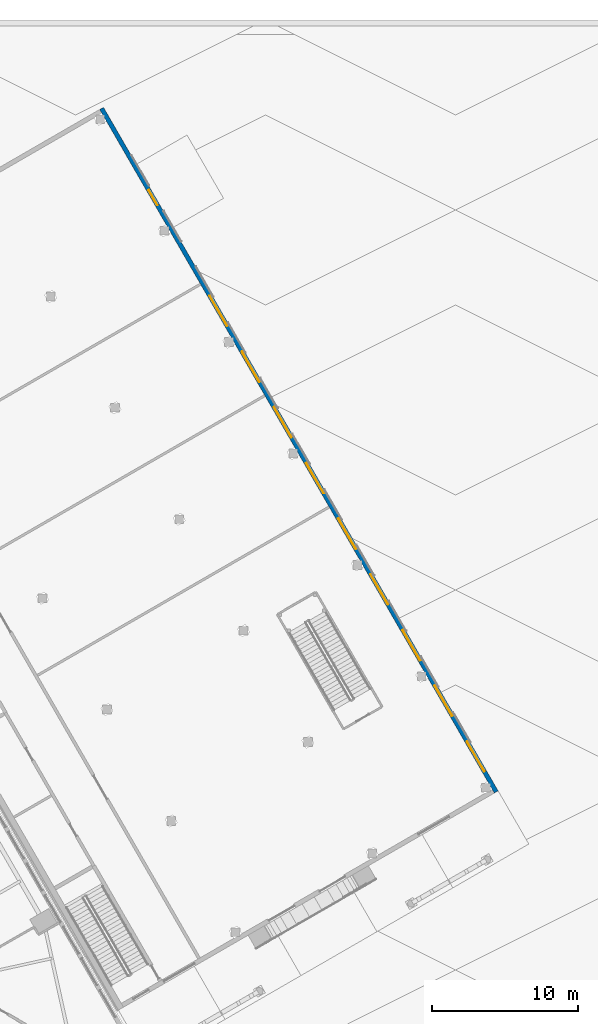
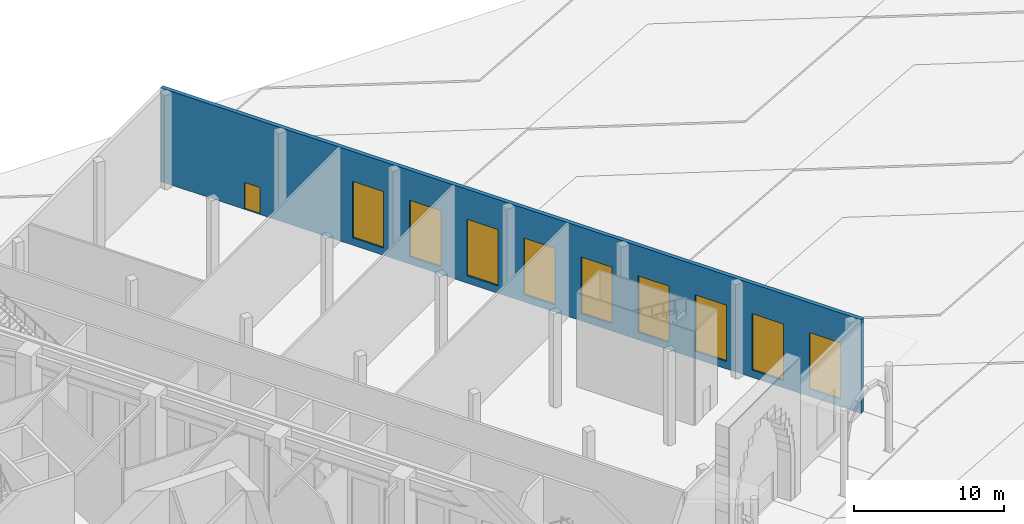
# One storey, part 19 of 34: 9 windows, 1 door, 1 wall, 10 openings.
"""IFC4 building model written with IfcOpenShell, lengths in metres."""

from ifc_helpers import new_model, si_unit, direction, frame, frame_2d, origin, place, context, subcontext, project, spatial, rectangle, extrude, material, layer, layer_set, type_object, element, fill, save


model = new_model("IFC4")

# Units and contexts
model_context = context("Model", 3, precision=1e-05, world=origin(), true_north=direction((0.0, 1.0)))
body_context = subcontext(model_context, "Body", "Model", "MODEL_VIEW")
ifc_project = project(units=[si_unit("LENGTHUNIT", "METRE"), si_unit("AREAUNIT", "SQUARE_METRE"), si_unit("VOLUMEUNIT", "CUBIC_METRE"), si_unit("PLANEANGLEUNIT", "RADIAN"), si_unit("MASSUNIT", "GRAM", prefix="KILO")], contexts=[model_context])

# Site, building, storey
site_placement = place(None, origin())
site = spatial("IfcSite", under=ifc_project, at=site_placement, CompositionType="ELEMENT")
building_placement = place(site_placement, origin())
building = spatial("IfcBuilding", under=site, at=building_placement, Name="Firuza Gate Tower and Library", CompositionType="ELEMENT")
storey_placement = place(building_placement, origin())
storey = spatial("IfcBuildingStorey", under=building, at=storey_placement, Name="L00", CompositionType="ELEMENT", Elevation=0.0)

# Wall, openings, door, windows
ifc_material_1 = material(Name="Concrete C30/37", Category="concrete")
ifc_layer = layer(ifc_material_1, 0.300048828125)
ifc_layer_set = layer_set([ifc_layer], Name="LIB EXTERNAL WALL 300")
wall_type = type_object("IfcWallType", Name="LIB EXTERNAL WALL 300", PredefinedType="SOLIDWALL", material=ifc_layer_set)
wall_placement = place(storey_placement, frame((132.783935546875, 77.1845703125, 0.0), z_axis=(0.0, 0.0, 1.0), x_axis=(-0.49999992739, 0.866025445706, 0.0)))
wall = element("IfcWall", 1, at=wall_placement, inside=storey, type_object=wall_type, Name="L00 east wall", PredefinedType="SOLIDWALL", context=body_context, shape_type="SweptSolid", body=[
    extrude(rectangle(XDim=54.0, YDim=0.300048828125, at=frame_2d((27.0, 0.0))), origin(), (0.0, 0.0, 1.0), 7.639892578125),
])
opening_1_placement = place(wall_placement, frame((1.60009765625, 0.0, 0.60009765625)))
opening_1 = element("IfcOpeningElement", 2, at=opening_1_placement, cuts=wall, Name="Opening LIB-WN2-001", PredefinedType="OPENING", context=body_context, shape_type="SweptSolid", body=[
    extrude(rectangle(XDim=2.39990234375, YDim=4.60009765625, at=frame_2d((1.199951171875, 2.300048828125))), frame((0.0, 0.16015625, 0.0), z_axis=(0.0, -1.0, 0.0), x_axis=(1.0, 0.0, 0.0)), (0.0, 0.0, 1.0), 0.320068359375),
])
opening_2_placement = place(wall_placement, frame((6.0, 0.0, 0.60009765625)))
opening_2 = element("IfcOpeningElement", 3, at=opening_2_placement, cuts=wall, Name="Opening LIB-WN2-002", PredefinedType="OPENING", context=body_context, shape_type="SweptSolid", body=[
    extrude(rectangle(XDim=2.39990234375, YDim=4.60009765625, at=frame_2d((1.199951171875, 2.300048828125))), frame((0.0, 0.16015625, 0.0), z_axis=(0.0, -1.0, 0.0), x_axis=(1.0, 0.0, 0.0)), (0.0, 0.0, 1.0), 0.320068359375),
])
opening_3_placement = place(wall_placement, frame((10.39990234375, 0.0, 0.60009765625)))
opening_3 = element("IfcOpeningElement", 4, at=opening_3_placement, cuts=wall, Name="Opening LIB-WN2-003", PredefinedType="OPENING", context=body_context, shape_type="SweptSolid", body=[
    extrude(rectangle(XDim=2.39990234375, YDim=4.60009765625, at=frame_2d((1.199951171875, 2.300048828125))), frame((0.0, 0.16015625, 0.0), z_axis=(0.0, -1.0, 0.0), x_axis=(1.0, 0.0, 0.0)), (0.0, 0.0, 1.0), 0.320068359375),
])
opening_4_placement = place(wall_placement, frame((14.800048828125, 0.0, 0.60009765625)))
opening_4 = element("IfcOpeningElement", 5, at=opening_4_placement, cuts=wall, Name="Opening LIB-WN2-004", PredefinedType="OPENING", context=body_context, shape_type="SweptSolid", body=[
    extrude(rectangle(XDim=2.39990234375, YDim=4.60009765625, at=frame_2d((1.199951171875, 2.300048828125))), frame((0.0, 0.16015625, 0.0), z_axis=(0.0, -1.0, 0.0), x_axis=(1.0, 0.0, 0.0)), (0.0, 0.0, 1.0), 0.320068359375),
])
opening_5_placement = place(wall_placement, frame((19.199951171875, 0.0, 0.60009765625)))
opening_5 = element("IfcOpeningElement", 6, at=opening_5_placement, cuts=wall, Name="Opening LIB-WN2-005", PredefinedType="OPENING", context=body_context, shape_type="SweptSolid", body=[
    extrude(rectangle(XDim=2.39990234375, YDim=4.60009765625, at=frame_2d((1.199951171875, 2.300048828125))), frame((0.0, 0.16015625, 0.0), z_axis=(0.0, -1.0, 0.0), x_axis=(1.0, 0.0, 0.0)), (0.0, 0.0, 1.0), 0.320068359375),
])
opening_6_placement = place(wall_placement, frame((23.60009765625, 0.0, 0.60009765625)))
opening_6 = element("IfcOpeningElement", 7, at=opening_6_placement, cuts=wall, Name="Opening LIB-WN2-006", PredefinedType="OPENING", context=body_context, shape_type="SweptSolid", body=[
    extrude(rectangle(XDim=2.39990234375, YDim=4.60009765625, at=frame_2d((1.199951171875, 2.300048828125))), frame((0.0, 0.16015625, 0.0), z_axis=(0.0, -1.0, 0.0), x_axis=(1.0, 0.0, 0.0)), (0.0, 0.0, 1.0), 0.320068359375),
])
opening_7_placement = place(wall_placement, frame((28.0, 0.0, 0.60009765625)))
opening_7 = element("IfcOpeningElement", 8, at=opening_7_placement, cuts=wall, Name="Opening LIB-WN2-007", PredefinedType="OPENING", context=body_context, shape_type="SweptSolid", body=[
    extrude(rectangle(XDim=2.39990234375, YDim=4.60009765625, at=frame_2d((1.199951171875, 2.300048828125))), frame((0.0, 0.16015625, 0.0), z_axis=(0.0, -1.0, 0.0), x_axis=(1.0, 0.0, 0.0)), (0.0, 0.0, 1.0), 0.320068359375),
])
opening_8_placement = place(wall_placement, frame((32.39990234375, 0.0, 0.60009765625)))
opening_8 = element("IfcOpeningElement", 9, at=opening_8_placement, cuts=wall, Name="Opening LIB-WN2-008", PredefinedType="OPENING", context=body_context, shape_type="SweptSolid", body=[
    extrude(rectangle(XDim=2.39990234375, YDim=4.60009765625, at=frame_2d((1.199951171875, 2.300048828125))), frame((0.0, 0.16015625, 0.0), z_axis=(0.0, -1.0, 0.0), x_axis=(1.0, 0.0, 0.0)), (0.0, 0.0, 1.0), 0.320068359375),
])
opening_9_placement = place(wall_placement, frame((36.800048828125, 0.0, 0.60009765625)))
opening_9 = element("IfcOpeningElement", 10, at=opening_9_placement, cuts=wall, Name="Opening LIB-WN2-009", PredefinedType="OPENING", context=body_context, shape_type="SweptSolid", body=[
    extrude(rectangle(XDim=2.39990234375, YDim=4.60009765625, at=frame_2d((1.199951171875, 2.300048828125))), frame((0.0, 0.16015625, 0.0), z_axis=(0.0, -1.0, 0.0), x_axis=(1.0, 0.0, 0.0)), (0.0, 0.0, 1.0), 0.320068359375),
])
opening_10_placement = place(wall_placement, frame((46.35009765625, 0.0, 0.0)))
opening_10 = element("IfcOpeningElement", 11, at=opening_10_placement, cuts=wall, Name="Opening LIB-D5-002", PredefinedType="OPENING", context=body_context, shape_type="SweptSolid", body=[
    extrude(rectangle(XDim=1.199951171875, YDim=2.199951171875, at=frame_2d((0.60009765625, 1.10009765625))), frame((0.0, 0.16015625, 0.0), z_axis=(0.0, -1.0, 0.0), x_axis=(1.0, 0.0, 0.0)), (0.0, 0.0, 1.0), 0.320068359375),
])
ifc_material_2 = material(Name="Steel S235 door leaf", Category="steel")
door_type = type_object("IfcDoorType", Name="LIB EXIT DOOR 1200", OperationType="NOTDEFINED", PredefinedType="DOOR", material=ifc_material_2)
door_placement = place(opening_10_placement, origin())
door = element("IfcDoor", 12, at=door_placement, inside=storey, type_object=door_type, Name="L00 auditorium exit door", OperationType="SINGLE_SWING_RIGHT", OverallHeight=2.199951171875, OverallWidth=1.199951171875, PredefinedType="DOOR", context=body_context, shape_type="SweptSolid", body=[
    extrude(rectangle(XDim=1.199951171875, YDim=2.199951171875, at=frame_2d((0.60009765625, 1.10009765625))), frame((0.0, 0.02490234375, 0.0), z_axis=(0.0, -1.0, 0.0), x_axis=(1.0, 0.0, 0.0)), (0.0, 0.0, 1.0), 0.050048828125),
])
fill(opening_10, door)
ifc_material_3 = material(Name="Ceramic-fritted glass", Category="glass")
window_type = type_object("IfcWindowType", Name="LIB WINDOW 2400X4600", PartitioningType="SINGLE_PANEL", PredefinedType="WINDOW", material=ifc_material_3)
window_1_placement = place(opening_1_placement, origin())
window_1 = element("IfcWindow", 13, at=window_1_placement, inside=storey, type_object=window_type, Name="L00 east window 1a", OverallHeight=4.60009765625, OverallWidth=2.39990234375, PartitioningType="SINGLE_PANEL", PredefinedType="WINDOW", context=body_context, shape_type="SweptSolid", body=[
    extrude(rectangle(XDim=2.39990234375, YDim=4.60009765625, at=frame_2d((1.199951171875, 2.300048828125))), frame((0.0, 0.030029296875, 0.0), z_axis=(0.0, -1.0, 0.0), x_axis=(1.0, 0.0, 0.0)), (0.0, 0.0, 1.0), 0.06005859375),
])
fill(opening_1, window_1)
window_2_placement = place(opening_2_placement, origin())
window_2 = element("IfcWindow", 14, at=window_2_placement, inside=storey, type_object=window_type, Name="L00 east window 1b", OverallHeight=4.60009765625, OverallWidth=2.39990234375, PartitioningType="SINGLE_PANEL", PredefinedType="WINDOW", context=body_context, shape_type="SweptSolid", body=[
    extrude(rectangle(XDim=2.39990234375, YDim=4.60009765625, at=frame_2d((1.199951171875, 2.300048828125))), frame((0.0, 0.030029296875, 0.0), z_axis=(0.0, -1.0, 0.0), x_axis=(1.0, 0.0, 0.0)), (0.0, 0.0, 1.0), 0.06005859375),
])
fill(opening_2, window_2)
window_3_placement = place(opening_3_placement, origin())
window_3 = element("IfcWindow", 15, at=window_3_placement, inside=storey, type_object=window_type, Name="L00 east window 2a", OverallHeight=4.60009765625, OverallWidth=2.39990234375, PartitioningType="SINGLE_PANEL", PredefinedType="WINDOW", context=body_context, shape_type="SweptSolid", body=[
    extrude(rectangle(XDim=2.39990234375, YDim=4.60009765625, at=frame_2d((1.199951171875, 2.300048828125))), frame((0.0, 0.030029296875, 0.0), z_axis=(0.0, -1.0, 0.0), x_axis=(1.0, 0.0, 0.0)), (0.0, 0.0, 1.0), 0.06005859375),
])
fill(opening_3, window_3)
window_4_placement = place(opening_4_placement, origin())
window_4 = element("IfcWindow", 16, at=window_4_placement, inside=storey, type_object=window_type, Name="L00 east window 2b", OverallHeight=4.60009765625, OverallWidth=2.39990234375, PartitioningType="SINGLE_PANEL", PredefinedType="WINDOW", context=body_context, shape_type="SweptSolid", body=[
    extrude(rectangle(XDim=2.39990234375, YDim=4.60009765625, at=frame_2d((1.199951171875, 2.300048828125))), frame((0.0, 0.030029296875, 0.0), z_axis=(0.0, -1.0, 0.0), x_axis=(1.0, 0.0, 0.0)), (0.0, 0.0, 1.0), 0.06005859375),
])
fill(opening_4, window_4)
window_5_placement = place(opening_5_placement, origin())
window_5 = element("IfcWindow", 17, at=window_5_placement, inside=storey, type_object=window_type, Name="L00 east window 3a", OverallHeight=4.60009765625, OverallWidth=2.39990234375, PartitioningType="SINGLE_PANEL", PredefinedType="WINDOW", context=body_context, shape_type="SweptSolid", body=[
    extrude(rectangle(XDim=2.39990234375, YDim=4.60009765625, at=frame_2d((1.199951171875, 2.300048828125))), frame((0.0, 0.030029296875, 0.0), z_axis=(0.0, -1.0, 0.0), x_axis=(1.0, 0.0, 0.0)), (0.0, 0.0, 1.0), 0.06005859375),
])
fill(opening_5, window_5)
window_6_placement = place(opening_6_placement, origin())
window_6 = element("IfcWindow", 18, at=window_6_placement, inside=storey, type_object=window_type, Name="L00 east window 3b", OverallHeight=4.60009765625, OverallWidth=2.39990234375, PartitioningType="SINGLE_PANEL", PredefinedType="WINDOW", context=body_context, shape_type="SweptSolid", body=[
    extrude(rectangle(XDim=2.39990234375, YDim=4.60009765625, at=frame_2d((1.199951171875, 2.300048828125))), frame((0.0, 0.030029296875, 0.0), z_axis=(0.0, -1.0, 0.0), x_axis=(1.0, 0.0, 0.0)), (0.0, 0.0, 1.0), 0.06005859375),
])
fill(opening_6, window_6)
window_7_placement = place(opening_7_placement, origin())
window_7 = element("IfcWindow", 19, at=window_7_placement, inside=storey, type_object=window_type, Name="L00 east window 4a", OverallHeight=4.60009765625, OverallWidth=2.39990234375, PartitioningType="SINGLE_PANEL", PredefinedType="WINDOW", context=body_context, shape_type="SweptSolid", body=[
    extrude(rectangle(XDim=2.39990234375, YDim=4.60009765625, at=frame_2d((1.199951171875, 2.300048828125))), frame((0.0, 0.030029296875, 0.0), z_axis=(0.0, -1.0, 0.0), x_axis=(1.0, 0.0, 0.0)), (0.0, 0.0, 1.0), 0.06005859375),
])
fill(opening_7, window_7)
window_8_placement = place(opening_8_placement, origin())
window_8 = element("IfcWindow", 20, at=window_8_placement, inside=storey, type_object=window_type, Name="L00 east window 4b", OverallHeight=4.60009765625, OverallWidth=2.39990234375, PartitioningType="SINGLE_PANEL", PredefinedType="WINDOW", context=body_context, shape_type="SweptSolid", body=[
    extrude(rectangle(XDim=2.39990234375, YDim=4.60009765625, at=frame_2d((1.199951171875, 2.300048828125))), frame((0.0, 0.030029296875, 0.0), z_axis=(0.0, -1.0, 0.0), x_axis=(1.0, 0.0, 0.0)), (0.0, 0.0, 1.0), 0.06005859375),
])
fill(opening_8, window_8)
window_9_placement = place(opening_9_placement, origin())
window_9 = element("IfcWindow", 21, at=window_9_placement, inside=storey, type_object=window_type, Name="L00 east window 5a", OverallHeight=4.60009765625, OverallWidth=2.39990234375, PartitioningType="SINGLE_PANEL", PredefinedType="WINDOW", context=body_context, shape_type="SweptSolid", body=[
    extrude(rectangle(XDim=2.39990234375, YDim=4.60009765625, at=frame_2d((1.199951171875, 2.300048828125))), frame((0.0, 0.030029296875, 0.0), z_axis=(0.0, -1.0, 0.0), x_axis=(1.0, 0.0, 0.0)), (0.0, 0.0, 1.0), 0.06005859375),
])
fill(opening_9, window_9)

save(model, "model.ifc")
